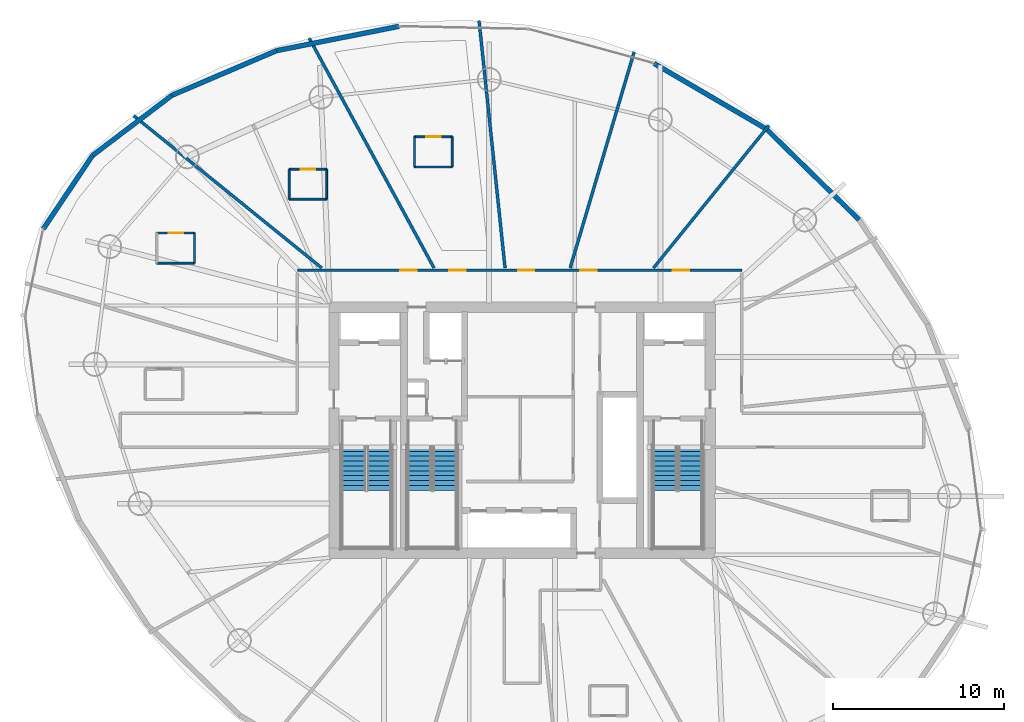
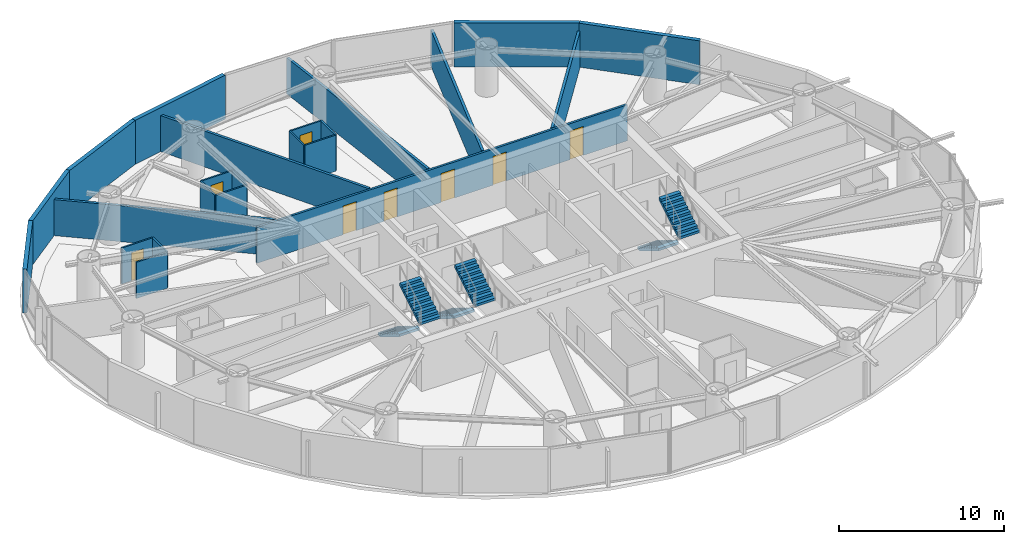
# One storey, part 22 of 26: 23 walls, 8 doors, 6 stair flights, 8 openings, 3 elements without a shape of their own.
"""IFC4 building model written with IfcOpenShell, lengths in metres."""

from ifc_helpers import new_model, si_unit, direction, frame, frame_2d, origin, place, context, subcontext, project, spatial, polyline, rectangle, outline, extrude, material, layer, layer_set, type_object, element, fill, aggregate, save


model = new_model("IFC4")

# Units and contexts
model_context = context("Model", 3, precision=1e-05, world=origin(), true_north=direction((0.0, 1.0)))
body_context = subcontext(model_context, "Body", "Model", "MODEL_VIEW")
ifc_project = project(units=[si_unit("LENGTHUNIT", "METRE"), si_unit("AREAUNIT", "SQUARE_METRE"), si_unit("VOLUMEUNIT", "CUBIC_METRE"), si_unit("PLANEANGLEUNIT", "RADIAN"), si_unit("MASSUNIT", "GRAM", prefix="KILO")], contexts=[model_context])

# Site, building, storey
site_placement = place(None, origin())
site = spatial("IfcSite", under=ifc_project, at=site_placement, CompositionType="ELEMENT")
building_placement = place(site_placement, origin())
building = spatial("IfcBuilding", under=site, at=building_placement, Name="Bramvorn Convention Spire", CompositionType="ELEMENT")
storey_placement = place(building_placement, frame((0.0, 0.0, 123.800048828125)))
storey = spatial("IfcBuildingStorey", under=building, at=storey_placement, Name="L30", CompositionType="ELEMENT", Elevation=123.800048828125)

# Walls
ifc_material_1 = material(Name="Precast Concrete C40/50 with Bronze Terracotta Rainscreen", Category="masonry")
ifc_layer_1 = layer(ifc_material_1, 0.300048828125)
ifc_layer_set_1 = layer_set([ifc_layer_1], Name="Precast Concrete C40/50 with Bronze Terracotta Rainscreen - WL-EXT-BRONZE-300")
wall_type_1 = type_object("IfcWallType", Name="WL-EXT-BRONZE-300", PredefinedType="SOLIDWALL", material=ifc_layer_set_1)
wall_1_placement = place(storey_placement, frame((52.293212890625, 43.609619140625, 0.0), z_axis=(0.0, 0.0, 1.0), x_axis=(0.714470451989, -0.699665615301, 0.0)))
element("IfcWall", 1, at=wall_1_placement, inside=storey, type_object=wall_type_1, Name="L30 expressed bronze Gothic lancet pier wall 05", PredefinedType="SOLIDWALL", context=body_context, shape_type="SweptSolid", body=[
    extrude(rectangle(XDim=7.569091796875, YDim=0.280029296875, at=frame_2d((3.78466796875, 0.0))), origin(), (0.0, 0.0, 1.0), 3.260009765625),
])
wall_2_placement = place(storey_placement, frame((45.716064453125, 47.452392578125, 0.0), z_axis=(0.0, 0.0, 1.0), x_axis=(0.863429962253, -0.50446873073, 0.0)))
element("IfcWall", 2, at=wall_2_placement, inside=storey, type_object=wall_type_1, Name="L30 expressed bronze Gothic lancet pier wall 06", PredefinedType="SOLIDWALL", context=body_context, shape_type="SweptSolid", body=[
    extrude(rectangle(XDim=7.617431640625, YDim=0.280029296875, at=frame_2d((3.80859375, 0.0))), origin(), (0.0, 0.0, 1.0), 3.260009765625),
])
wall_3_placement = place(storey_placement, frame((23.648681640625, 48.201904296875, 0.0), z_axis=(0.0, 0.0, 1.0), x_axis=(0.980871895122, 0.194654374108, 0.0)))
element("IfcWall", 3, at=wall_3_placement, inside=storey, type_object=wall_type_1, Name="L30 expressed bronze Gothic lancet pier wall 09", PredefinedType="SOLIDWALL", context=body_context, shape_type="SweptSolid", body=[
    extrude(rectangle(XDim=7.2919921875, YDim=0.280029296875, at=frame_2d((3.64599609375, 0.0))), origin(), (0.0, 0.0, 1.0), 3.260009765625),
])
wall_4_placement = place(storey_placement, frame((17.518798828125, 45.585693359375, 0.0), z_axis=(0.0, 0.0, 1.0), x_axis=(0.919735146148, 0.392539502395, 0.0)))
element("IfcWall", 4, at=wall_4_placement, inside=storey, type_object=wall_type_1, Name="L30 expressed bronze Gothic lancet pier wall 10", PredefinedType="SOLIDWALL", context=body_context, shape_type="SweptSolid", body=[
    extrude(rectangle(XDim=6.664794921875, YDim=0.280029296875, at=frame_2d((3.33251953125, 0.0))), origin(), (0.0, 0.0, 1.0), 3.260009765625),
])
wall_5_placement = place(storey_placement, frame((12.878173828125, 42.068603515625, 0.0), z_axis=(0.0, 0.0, 1.0), x_axis=(0.796971044297, 0.604017511792, 0.0)))
element("IfcWall", 5, at=wall_5_placement, inside=storey, type_object=wall_type_1, Name="L30 expressed bronze Gothic lancet pier wall 11", PredefinedType="SOLIDWALL", context=body_context, shape_type="SweptSolid", body=[
    extrude(rectangle(XDim=5.82275390625, YDim=0.280029296875, at=frame_2d((2.911376953125, 0.0))), origin(), (0.0, 0.0, 1.0), 3.260009765625),
])
wall_6_placement = place(storey_placement, frame((9.993896484375, 37.772705078125, 0.0), z_axis=(0.0, 0.0, 1.0), x_axis=(0.557419320753, 0.830231112914, 0.0)))
element("IfcWall", 6, at=wall_6_placement, inside=storey, type_object=wall_type_1, Name="L30 expressed bronze Gothic lancet pier wall 12", PredefinedType="SOLIDWALL", context=body_context, shape_type="SweptSolid", body=[
    extrude(rectangle(XDim=5.17431640625, YDim=0.280029296875, at=frame_2d((2.587158203125, 0.0))), origin(), (0.0, 0.0, 1.0), 3.260009765625),
])
ifc_material_2 = material(Name="Lightweight En-Suite & Wet-Wall Partition", Category="gypsum")
ifc_layer_2 = layer(ifc_material_2, 0.110107421875)
ifc_layer_set_2 = layer_set([ifc_layer_2], Name="Lightweight En-Suite & Wet-Wall Partition - WL-PART-110")
wall_type_2 = type_object("IfcWallType", Name="WL-PART-110", PredefinedType="PARTITIONING", material=ifc_layer_set_2)
wall_7_placement = place(storey_placement, frame((31.705322265625, 41.396484375, 0.0), z_axis=(0.0, 0.0, 1.0), x_axis=(1.0, 0.0, 0.0)))
element("IfcWall", 7, at=wall_7_placement, inside=storey, type_object=wall_type_2, Name="Hotel Suite 3005 en-suite south wall", PredefinedType="PARTITIONING", context=body_context, shape_type="SweptSolid", body=[
    extrude(rectangle(XDim=2.2001953125, YDim=0.110107421875, at=frame_2d((1.10009765625, 0.0))), origin(), (0.0, 0.0, 1.0), 2.675048828125),
])

# Wall, opening, door
wall_8_placement = place(storey_placement, frame((31.705322265625, 43.156494140625, 0.0), z_axis=(0.0, 0.0, 1.0), x_axis=(1.0, 0.0, 0.0)))
wall_8 = element("IfcWall", 8, at=wall_8_placement, inside=storey, type_object=wall_type_2, Name="Hotel Suite 3005 en-suite north wall", PredefinedType="PARTITIONING", context=body_context, shape_type="SweptSolid", body=[
    extrude(rectangle(XDim=2.2001953125, YDim=0.110107421875, at=frame_2d((1.10009765625, 0.0))), origin(), (0.0, 0.0, 1.0), 2.675048828125),
])
opening_1_placement = place(wall_8_placement, frame((0.679931640625, 0.0, 0.0)))
opening_1 = element("IfcOpeningElement", 9, at=opening_1_placement, cuts=wall_8, Name="Opening DI-085", PredefinedType="OPENING", context=body_context, shape_type="SweptSolid", body=[
    extrude(rectangle(XDim=0.85009765625, YDim=2.10009765625, at=frame_2d((0.425048828125, 1.050048828125))), frame((0.0, 0.06494140625, 0.0), z_axis=(0.0, -1.0, 0.0), x_axis=(1.0, 0.0, 0.0)), (0.0, 0.0, 1.0), 0.130126953125),
])
ifc_material_3 = material(Name="En-Suite & Restroom Privacy Door", Category="wood")
door_type_1 = type_object("IfcDoorType", Name="DR-INT-850", OperationType="NOTDEFINED", PredefinedType="DOOR", material=ifc_material_3)
door_1_placement = place(opening_1_placement, origin())
door_1 = element("IfcDoor", 10, at=door_1_placement, inside=storey, type_object=door_type_1, Name="Hotel Suite 3005 En-Suite Bathroom door", OperationType="SINGLE_SWING_LEFT", OverallHeight=2.10009765625, OverallWidth=0.85009765625, PredefinedType="DOOR", context=body_context, shape_type="SweptSolid", body=[
    extrude(rectangle(XDim=0.85009765625, YDim=2.10009765625, at=frame_2d((0.425048828125, 1.050048828125))), frame((0.0, 0.02490234375, 0.0), z_axis=(0.0, -1.0, 0.0), x_axis=(1.0, 0.0, 0.0)), (0.0, 0.0, 1.0), 0.050048828125),
])
fill(opening_1, door_1)

# Walls
for number, where, z_axis, x_axis, name in (
    (11, (31.705322265625, 41.396484375, 0.0), (0.0, 0.0, 1.0), (0.0, 1.0, 0.0), "Hotel Suite 3005 en-suite west wall"),
    (12, (33.905517578125, 41.396484375, 0.0), (0.0, 0.0, 1.0), (0.0, 1.0, 0.0), "Hotel Suite 3005 en-suite east wall"),
):
    element("IfcWall", number, at=place(storey_placement, frame(where, z_axis=z_axis, x_axis=x_axis)), inside=storey, type_object=wall_type_2, Name=name, PredefinedType="PARTITIONING", context=body_context, shape_type="SweptSolid", body=[
        extrude(rectangle(XDim=1.760009765625, YDim=0.110107421875, at=frame_2d((0.8798828125, 0.0))), origin(), (0.0, 0.0, 1.0), 2.675048828125),
    ])
wall_9_placement = place(storey_placement, frame((24.376708984375, 39.5126953125, 0.0), z_axis=(0.0, 0.0, 1.0), x_axis=(1.0, 0.0, 0.0)))
element("IfcWall", 13, at=wall_9_placement, inside=storey, type_object=wall_type_2, Name="Hotel Suite 3006 en-suite south wall", PredefinedType="PARTITIONING", context=body_context, shape_type="SweptSolid", body=[
    extrude(rectangle(XDim=2.199951171875, YDim=0.110107421875, at=frame_2d((1.10009765625, 0.0))), origin(), (0.0, 0.0, 1.0), 2.675048828125),
])

# Wall, opening, door
wall_10_placement = place(storey_placement, frame((24.376708984375, 41.272705078125, 0.0), z_axis=(0.0, 0.0, 1.0), x_axis=(1.0, 0.0, 0.0)))
wall_10 = element("IfcWall", 14, at=wall_10_placement, inside=storey, type_object=wall_type_2, Name="Hotel Suite 3006 en-suite north wall", PredefinedType="PARTITIONING", context=body_context, shape_type="SweptSolid", body=[
    extrude(rectangle(XDim=2.199951171875, YDim=0.110107421875, at=frame_2d((1.10009765625, 0.0))), origin(), (0.0, 0.0, 1.0), 2.675048828125),
])
opening_2_placement = place(wall_10_placement, frame((0.679931640625, 0.0, 0.0)))
opening_2 = element("IfcOpeningElement", 15, at=opening_2_placement, cuts=wall_10, Name="Opening DI-085", PredefinedType="OPENING", context=body_context, shape_type="SweptSolid", body=[
    extrude(rectangle(XDim=0.85009765625, YDim=2.10009765625, at=frame_2d((0.425048828125, 1.050048828125))), frame((0.0, 0.06494140625, 0.0), z_axis=(0.0, -1.0, 0.0), x_axis=(1.0, 0.0, 0.0)), (0.0, 0.0, 1.0), 0.130126953125),
])
door_2_placement = place(opening_2_placement, origin())
door_2 = element("IfcDoor", 16, at=door_2_placement, inside=storey, type_object=door_type_1, Name="Hotel Suite 3006 En-Suite Bathroom door", OperationType="SINGLE_SWING_LEFT", OverallHeight=2.10009765625, OverallWidth=0.85009765625, PredefinedType="DOOR", context=body_context, shape_type="SweptSolid", body=[
    extrude(rectangle(XDim=0.85009765625, YDim=2.10009765625, at=frame_2d((0.425048828125, 1.050048828125))), frame((0.0, 0.02490234375, 0.0), z_axis=(0.0, -1.0, 0.0), x_axis=(1.0, 0.0, 0.0)), (0.0, 0.0, 1.0), 0.050048828125),
])
fill(opening_2, door_2)

# Walls
for number, where, z_axis, x_axis, name in (
    (17, (24.376708984375, 39.5126953125, 0.0), (0.0, 0.0, 1.0), (0.0, 1.0, 0.0), "Hotel Suite 3006 en-suite west wall"),
    (18, (26.57666015625, 39.5126953125, 0.0), (0.0, 0.0, 1.0), (0.0, 1.0, 0.0), "Hotel Suite 3006 en-suite east wall"),
):
    element("IfcWall", number, at=place(storey_placement, frame(where, z_axis=z_axis, x_axis=x_axis)), inside=storey, type_object=wall_type_2, Name=name, PredefinedType="PARTITIONING", context=body_context, shape_type="SweptSolid", body=[
        extrude(rectangle(XDim=1.760009765625, YDim=0.110107421875, at=frame_2d((0.8798828125, 0.0))), origin(), (0.0, 0.0, 1.0), 2.675048828125),
    ])
wall_11_placement = place(storey_placement, frame((16.639892578125, 35.77685546875, 0.0), z_axis=(0.0, 0.0, 1.0), x_axis=(1.0, 0.0, 0.0)))
element("IfcWall", 19, at=wall_11_placement, inside=storey, type_object=wall_type_2, Name="Hotel Suite 3007 en-suite south wall", PredefinedType="PARTITIONING", context=body_context, shape_type="SweptSolid", body=[
    extrude(rectangle(XDim=2.199951171875, YDim=0.110107421875, at=frame_2d((1.10009765625, 0.0))), origin(), (0.0, 0.0, 1.0), 2.675048828125),
])

# Wall, opening, door
wall_12_placement = place(storey_placement, frame((16.639892578125, 37.536865234375, 0.0), z_axis=(0.0, 0.0, 1.0), x_axis=(1.0, 0.0, 0.0)))
wall_12 = element("IfcWall", 20, at=wall_12_placement, inside=storey, type_object=wall_type_2, Name="Hotel Suite 3007 en-suite north wall", PredefinedType="PARTITIONING", context=body_context, shape_type="SweptSolid", body=[
    extrude(rectangle(XDim=2.199951171875, YDim=0.110107421875, at=frame_2d((1.10009765625, 0.0))), origin(), (0.0, 0.0, 1.0), 2.675048828125),
])
opening_3_placement = place(wall_12_placement, frame((0.679931640625, 0.0, 0.0)))
opening_3 = element("IfcOpeningElement", 21, at=opening_3_placement, cuts=wall_12, Name="Opening DI-085", PredefinedType="OPENING", context=body_context, shape_type="SweptSolid", body=[
    extrude(rectangle(XDim=0.85009765625, YDim=2.10009765625, at=frame_2d((0.425048828125, 1.050048828125))), frame((0.0, 0.06494140625, 0.0), z_axis=(0.0, -1.0, 0.0), x_axis=(1.0, 0.0, 0.0)), (0.0, 0.0, 1.0), 0.130126953125),
])
door_3_placement = place(opening_3_placement, origin())
door_3 = element("IfcDoor", 22, at=door_3_placement, inside=storey, type_object=door_type_1, Name="Hotel Suite 3007 En-Suite Bathroom door", OperationType="SINGLE_SWING_LEFT", OverallHeight=2.10009765625, OverallWidth=0.85009765625, PredefinedType="DOOR", context=body_context, shape_type="SweptSolid", body=[
    extrude(rectangle(XDim=0.85009765625, YDim=2.10009765625, at=frame_2d((0.425048828125, 1.050048828125))), frame((0.0, 0.02490234375, 0.0), z_axis=(0.0, -1.0, 0.0), x_axis=(1.0, 0.0, 0.0)), (0.0, 0.0, 1.0), 0.050048828125),
])
fill(opening_3, door_3)

# Wall
wall_13_placement = place(storey_placement, frame((18.83984375, 35.77685546875, 0.0), z_axis=(0.0, 0.0, 1.0), x_axis=(0.0, 1.0, 0.0)))
element("IfcWall", 23, at=wall_13_placement, inside=storey, type_object=wall_type_2, Name="Hotel Suite 3007 en-suite east wall", PredefinedType="PARTITIONING", context=body_context, shape_type="SweptSolid", body=[
    extrude(rectangle(XDim=1.760009765625, YDim=0.110107421875, at=frame_2d((0.8798828125, 0.0))), origin(), (0.0, 0.0, 1.0), 2.675048828125),
])

# Wall, openings, doors
ifc_material_4 = material(Name="Acoustic Metal-Stud Tenant/Corridor Partition", Category="gypsum")
ifc_layer_3 = layer(ifc_material_4, 0.14990234375)
ifc_layer_set_3 = layer_set([ifc_layer_3], Name="Acoustic Metal-Stud Tenant/Corridor Partition - WL-PART-150")
wall_type_3 = type_object("IfcWallType", Name="WL-PART-150", PredefinedType="PARTITIONING", material=ifc_layer_set_3)
wall_14_placement = place(storey_placement, frame((24.85009765625, 35.35009765625, 0.0), z_axis=(0.0, 0.0, 1.0), x_axis=(1.0, 0.0, 0.0)))
wall_14 = element("IfcWall", 24, at=wall_14_placement, inside=storey, type_object=wall_type_3, Name="L30 North gallery wall", PredefinedType="PARTITIONING", context=body_context, shape_type="SweptSolid", body=[
    extrude(rectangle(XDim=26.0, YDim=0.14990234375, at=frame_2d((13.0, 0.0))), origin(), (0.0, 0.0, 1.0), 2.675048828125),
])
opening_4_placement = place(wall_14_placement, frame((21.96435546875, 0.0, 0.0)))
opening_4 = element("IfcOpeningElement", 25, at=opening_4_placement, cuts=wall_14, Name="Opening DH-095", PredefinedType="OPENING", context=body_context, shape_type="SweptSolid", body=[
    extrude(rectangle(XDim=0.949951171875, YDim=2.14990234375, at=frame_2d((0.47509765625, 1.074951171875))), frame((0.0, 0.0849609375, 0.0), z_axis=(0.0, -1.0, 0.0), x_axis=(1.0, 0.0, 0.0)), (0.0, 0.0, 1.0), 0.169921875),
])
opening_5_placement = place(wall_14_placement, frame((16.55224609375, 0.0, 0.0)))
opening_5 = element("IfcOpeningElement", 26, at=opening_5_placement, cuts=wall_14, Name="Opening DH-095", PredefinedType="OPENING", context=body_context, shape_type="SweptSolid", body=[
    extrude(rectangle(XDim=0.949951171875, YDim=2.14990234375, at=frame_2d((0.47509765625, 1.074951171875))), frame((0.0, 0.0849609375, 0.0), z_axis=(0.0, -1.0, 0.0), x_axis=(1.0, 0.0, 0.0)), (0.0, 0.0, 1.0), 0.169921875),
])
opening_6_placement = place(wall_14_placement, frame((12.9208984375, 0.0, 0.0)))
opening_6 = element("IfcOpeningElement", 27, at=opening_6_placement, cuts=wall_14, Name="Opening DH-095", PredefinedType="OPENING", context=body_context, shape_type="SweptSolid", body=[
    extrude(rectangle(XDim=0.949951171875, YDim=2.14990234375, at=frame_2d((0.47509765625, 1.074951171875))), frame((0.0, 0.0849609375, 0.0), z_axis=(0.0, -1.0, 0.0), x_axis=(1.0, 0.0, 0.0)), (0.0, 0.0, 1.0), 0.169921875),
])
opening_7_placement = place(wall_14_placement, frame((8.893798828125, 0.0, 0.0)))
opening_7 = element("IfcOpeningElement", 28, at=opening_7_placement, cuts=wall_14, Name="Opening DH-095", PredefinedType="OPENING", context=body_context, shape_type="SweptSolid", body=[
    extrude(rectangle(XDim=0.949951171875, YDim=2.14990234375, at=frame_2d((0.47509765625, 1.074951171875))), frame((0.0, 0.0849609375, 0.0), z_axis=(0.0, -1.0, 0.0), x_axis=(1.0, 0.0, 0.0)), (0.0, 0.0, 1.0), 0.169921875),
])
opening_8_placement = place(wall_14_placement, frame((6.02734375, 0.0, 0.0)))
opening_8 = element("IfcOpeningElement", 29, at=opening_8_placement, cuts=wall_14, Name="Opening DH-095", PredefinedType="OPENING", context=body_context, shape_type="SweptSolid", body=[
    extrude(rectangle(XDim=0.949951171875, YDim=2.14990234375, at=frame_2d((0.47509765625, 1.074951171875))), frame((0.0, 0.0849609375, 0.0), z_axis=(0.0, -1.0, 0.0), x_axis=(1.0, 0.0, 0.0)), (0.0, 0.0, 1.0), 0.169921875),
])
ifc_material_5 = material(Name="Solid-Core Acoustic Guestroom Entry Door", Category="wood")
door_type_2 = type_object("IfcDoorType", Name="DR-HOTEL-950", OperationType="NOTDEFINED", PredefinedType="DOOR", material=ifc_material_5)
door_4_placement = place(opening_4_placement, origin())
door_4 = element("IfcDoor", 30, at=door_4_placement, inside=storey, type_object=door_type_2, Name="L30 Hospitality Lounge 2 door", OperationType="SINGLE_SWING_RIGHT", OverallHeight=2.14990234375, OverallWidth=0.949951171875, PredefinedType="DOOR", context=body_context, shape_type="SweptSolid", body=[
    extrude(rectangle(XDim=0.949951171875, YDim=2.14990234375, at=frame_2d((0.47509765625, 1.074951171875))), frame((0.0, 0.02490234375, 0.0), z_axis=(0.0, -1.0, 0.0), x_axis=(1.0, 0.0, 0.0)), (0.0, 0.0, 1.0), 0.050048828125),
])
fill(opening_4, door_4)
door_5_placement = place(opening_5_placement, origin())
door_5 = element("IfcDoor", 31, at=door_5_placement, inside=storey, type_object=door_type_2, Name="L30 Hospitality Lounge 3 door", OperationType="SINGLE_SWING_RIGHT", OverallHeight=2.14990234375, OverallWidth=0.949951171875, PredefinedType="DOOR", context=body_context, shape_type="SweptSolid", body=[
    extrude(rectangle(XDim=0.949951171875, YDim=2.14990234375, at=frame_2d((0.47509765625, 1.074951171875))), frame((0.0, 0.02490234375, 0.0), z_axis=(0.0, -1.0, 0.0), x_axis=(1.0, 0.0, 0.0)), (0.0, 0.0, 1.0), 0.050048828125),
])
fill(opening_5, door_5)
door_6_placement = place(opening_6_placement, origin())
door_6 = element("IfcDoor", 32, at=door_6_placement, inside=storey, type_object=door_type_2, Name="L30 Hospitality Lounge 4 door", OperationType="SINGLE_SWING_RIGHT", OverallHeight=2.14990234375, OverallWidth=0.949951171875, PredefinedType="DOOR", context=body_context, shape_type="SweptSolid", body=[
    extrude(rectangle(XDim=0.949951171875, YDim=2.14990234375, at=frame_2d((0.47509765625, 1.074951171875))), frame((0.0, 0.02490234375, 0.0), z_axis=(0.0, -1.0, 0.0), x_axis=(1.0, 0.0, 0.0)), (0.0, 0.0, 1.0), 0.050048828125),
])
fill(opening_6, door_6)
door_7_placement = place(opening_7_placement, origin())
door_7 = element("IfcDoor", 33, at=door_7_placement, inside=storey, type_object=door_type_2, Name="Hotel Suite 3005 entry door", OperationType="SINGLE_SWING_LEFT", OverallHeight=2.14990234375, OverallWidth=0.949951171875, PredefinedType="DOOR", context=body_context, shape_type="SweptSolid", body=[
    extrude(rectangle(XDim=0.949951171875, YDim=2.14990234375, at=frame_2d((0.47509765625, 1.074951171875))), frame((0.0, 0.02490234375, 0.0), z_axis=(0.0, -1.0, 0.0), x_axis=(1.0, 0.0, 0.0)), (0.0, 0.0, 1.0), 0.050048828125),
])
fill(opening_7, door_7)
door_8_placement = place(opening_8_placement, origin())
door_8 = element("IfcDoor", 34, at=door_8_placement, inside=storey, type_object=door_type_2, Name="Hotel Suite 3006 entry door", OperationType="SINGLE_SWING_LEFT", OverallHeight=2.14990234375, OverallWidth=0.949951171875, PredefinedType="DOOR", context=body_context, shape_type="SweptSolid", body=[
    extrude(rectangle(XDim=0.949951171875, YDim=2.14990234375, at=frame_2d((0.47509765625, 1.074951171875))), frame((0.0, 0.02490234375, 0.0), z_axis=(0.0, -1.0, 0.0), x_axis=(1.0, 0.0, 0.0)), (0.0, 0.0, 1.0), 0.050048828125),
])
fill(opening_8, door_8)

# Walls
ifc_material_6 = material(Name="Double-Stud Acoustic Hotel/Suite Partition", Category="gypsum")
ifc_layer_4 = layer(ifc_material_6, 0.175048828125)
ifc_layer_set_4 = layer_set([ifc_layer_4], Name="Double-Stud Acoustic Hotel/Suite Partition - WL-PART-175")
wall_type_4 = type_object("IfcWallType", Name="WL-PART-175", PredefinedType="PARTITIONING", material=ifc_layer_set_4)
wall_15_placement = place(storey_placement, frame((45.684814453125, 35.489990234375, 0.0), z_axis=(0.0, 0.0, 1.0), x_axis=(0.629333011915, 0.777135741112, 0.0)))
element("IfcWall", 35, at=wall_15_placement, inside=storey, type_object=wall_type_4, Name="L30 Guestroom demising wall 3", PredefinedType="PARTITIONING", context=body_context, shape_type="SweptSolid", body=[
    extrude(rectangle(XDim=10.7333984375, YDim=0.175048828125, at=frame_2d((5.36669921875, 0.0))), origin(), (0.0, 0.0, 1.0), 2.675048828125),
])
wall_16_placement = place(storey_placement, frame((40.81103515625, 35.489990234375, 0.0), z_axis=(0.0, 0.0, 1.0), x_axis=(0.284012702831, 0.958820517423, 0.0)))
element("IfcWall", 36, at=wall_16_placement, inside=storey, type_object=wall_type_4, Name="L30 Guestroom demising wall 4", PredefinedType="PARTITIONING", context=body_context, shape_type="SweptSolid", body=[
    extrude(rectangle(XDim=13.18994140625, YDim=0.175048828125, at=frame_2d((6.594970703125, 0.0))), origin(), (0.0, 0.0, 1.0), 2.675048828125),
])
wall_17_placement = place(storey_placement, frame((37.002685546875, 35.489990234375, 0.0), z_axis=(0.0, 0.0, 1.0), x_axis=(-0.10453360694, 0.994521354733, 0.0)))
element("IfcWall", 37, at=wall_17_placement, inside=storey, type_object=wall_type_4, Name="L30 Guestroom demising wall 5", PredefinedType="PARTITIONING", context=body_context, shape_type="SweptSolid", body=[
    extrude(rectangle(XDim=14.543212890625, YDim=0.175048828125, at=frame_2d((7.271484375, 0.0))), origin(), (0.0, 0.0, 1.0), 2.675048828125),
])
wall_18_placement = place(storey_placement, frame((32.847412109375, 35.489990234375, 0.0), z_axis=(0.0, 0.0, 1.0), x_axis=(-0.477169302066, 0.878811388846, 0.0)))
element("IfcWall", 38, at=wall_18_placement, inside=storey, type_object=wall_type_4, Name="L30 Guestroom demising wall 6", PredefinedType="PARTITIONING", context=body_context, shape_type="SweptSolid", body=[
    extrude(rectangle(XDim=15.305908203125, YDim=0.175048828125, at=frame_2d((7.65283203125, 0.0))), origin(), (0.0, 0.0, 1.0), 2.675048828125),
])
wall_19_placement = place(storey_placement, frame((26.28076171875, 35.489990234375, 0.0), z_axis=(0.0, 0.0, 1.0), x_axis=(-0.777136881542, 0.629331603646, 0.0)))
element("IfcWall", 39, at=wall_19_placement, inside=storey, type_object=wall_type_4, Name="L30 Guestroom demising wall 7", PredefinedType="PARTITIONING", context=body_context, shape_type="SweptSolid", body=[
    extrude(rectangle(XDim=14.1640625, YDim=0.175048828125, at=frame_2d((7.08203125, 0.0))), origin(), (0.0, 0.0, 1.0), 2.675048828125),
])

# Stair, stair flights
ifc_material_7 = material(Name="Concrete C40/50 Precast Stair", Category="concrete")
stair_type = type_object("IfcStairType", Name="ST-TOWER-1550", PredefinedType="HALF_TURN_STAIR", material=ifc_material_7)
stair_1_placement = place(storey_placement, origin())
stair_1 = element("IfcStair", 40, at=stair_1_placement, inside=storey, type_object=stair_type, Name="L30 Protected Exit Stair ST1", PredefinedType="HALF_TURN_STAIR")
ifc_material_8 = material(Name="Concrete C40/50 Precast Stair Flight", Category="concrete")
stair_flight_type = type_object("IfcStairFlightType", Name="STF-TOWER-1550", PredefinedType="STRAIGHT", material=ifc_material_8)
stair_flight_1_placement = place(storey_placement, frame((28.155029296875, 25.050048828125, 0.0), z_axis=(0.0, 0.0, 1.0), x_axis=(0.0, -1.0, 0.0)))
stair_flight_1 = element("IfcStairFlight", 41, at=stair_flight_1_placement, type_object=stair_flight_type, Name="ST1 flight 1", NumberOfRisers=10, NumberOfTreads=9, PredefinedType="STRAIGHT", RiserHeight=0.175, TreadLength=0.285, context=body_context, shape_type="SweptSolid", body=[
    extrude(outline(polyline([(0.0, 0.0), (0.0, 0.175048828125), (0.284912109375, 0.175048828125), (0.284912109375, 0.35009765625), (0.570068359375, 0.35009765625), (0.570068359375, 0.52490234375), (0.85498046875, 0.52490234375), (0.85498046875, 0.699951171875), (1.139892578125, 0.699951171875), (1.139892578125, 0.875), (1.425048828125, 0.875), (1.425048828125, 1.050048828125), (1.7099609375, 1.050048828125), (1.7099609375, 1.22509765625), (1.9951171875, 1.22509765625), (1.9951171875, 1.39990234375), (2.280029296875, 1.39990234375), (2.280029296875, 1.574951171875), (2.56494140625, 1.574951171875), (2.56494140625, 1.75), (2.56494140625, 1.399169921875), (0.286376953125, 0.0), (0.0, 0.0)])), frame((0.0, 0.705078125, 0.0), z_axis=(0.0, -1.0, 0.0), x_axis=(1.0, 0.0, 0.0)), (0.0, 0.0, 1.0), 1.409912109375),
])
stair_flight_2_placement = place(storey_placement, frame((29.64501953125, 22.485107421875, 1.75), z_axis=(0.0, 0.0, 1.0), x_axis=(0.0, 1.0, 0.0)))
stair_flight_2 = element("IfcStairFlight", 42, at=stair_flight_2_placement, type_object=stair_flight_type, Name="ST1 flight 2", NumberOfRisers=10, NumberOfTreads=9, PredefinedType="STRAIGHT", RiserHeight=0.175, TreadLength=0.285, context=body_context, shape_type="SweptSolid", body=[
    extrude(outline(polyline([(0.0, 0.0), (0.0, 0.175048828125), (0.284912109375, 0.175048828125), (0.284912109375, 0.35009765625), (0.570068359375, 0.35009765625), (0.570068359375, 0.52490234375), (0.85498046875, 0.52490234375), (0.85498046875, 0.699951171875), (1.139892578125, 0.699951171875), (1.139892578125, 0.875), (1.425048828125, 0.875), (1.425048828125, 1.050048828125), (1.7099609375, 1.050048828125), (1.7099609375, 1.22509765625), (1.9951171875, 1.22509765625), (1.9951171875, 1.39990234375), (2.280029296875, 1.39990234375), (2.280029296875, 1.574951171875), (2.56494140625, 1.574951171875), (2.56494140625, 1.75), (2.56494140625, 1.399169921875), (0.286376953125, 0.0), (0.0, 0.0)])), frame((0.0, 0.705078125, 0.0), z_axis=(0.0, -1.0, 0.0), x_axis=(1.0, 0.0, 0.0)), (0.0, 0.0, 1.0), 1.409912109375),
])
aggregate(stair_1, [stair_flight_1, stair_flight_2])

stair_2_placement = place(storey_placement, origin())
stair_2 = element("IfcStair", 43, at=stair_2_placement, inside=storey, type_object=stair_type, Name="L30 Protected Exit Stair ST2", PredefinedType="HALF_TURN_STAIR")
stair_flight_3_placement = place(storey_placement, frame((46.35498046875, 25.050048828125, 0.0), z_axis=(0.0, 0.0, 1.0), x_axis=(0.0, -1.0, 0.0)))
stair_flight_3 = element("IfcStairFlight", 44, at=stair_flight_3_placement, type_object=stair_flight_type, Name="ST2 flight 1", NumberOfRisers=10, NumberOfTreads=9, PredefinedType="STRAIGHT", RiserHeight=0.175, TreadLength=0.285, context=body_context, shape_type="SweptSolid", body=[
    extrude(outline(polyline([(0.0, 0.0), (0.0, 0.175048828125), (0.284912109375, 0.175048828125), (0.284912109375, 0.35009765625), (0.570068359375, 0.35009765625), (0.570068359375, 0.52490234375), (0.85498046875, 0.52490234375), (0.85498046875, 0.699951171875), (1.139892578125, 0.699951171875), (1.139892578125, 0.875), (1.425048828125, 0.875), (1.425048828125, 1.050048828125), (1.7099609375, 1.050048828125), (1.7099609375, 1.22509765625), (1.9951171875, 1.22509765625), (1.9951171875, 1.39990234375), (2.280029296875, 1.39990234375), (2.280029296875, 1.574951171875), (2.56494140625, 1.574951171875), (2.56494140625, 1.75), (2.56494140625, 1.399169921875), (0.286376953125, 0.0), (0.0, 0.0)])), frame((0.0, 0.705078125, 0.0), z_axis=(0.0, -1.0, 0.0), x_axis=(1.0, 0.0, 0.0)), (0.0, 0.0, 1.0), 1.409912109375),
])
stair_flight_4_placement = place(storey_placement, frame((47.844970703125, 22.485107421875, 1.75), z_axis=(0.0, 0.0, 1.0), x_axis=(0.0, 1.0, 0.0)))
stair_flight_4 = element("IfcStairFlight", 45, at=stair_flight_4_placement, type_object=stair_flight_type, Name="ST2 flight 2", NumberOfRisers=10, NumberOfTreads=9, PredefinedType="STRAIGHT", RiserHeight=0.175, TreadLength=0.285, context=body_context, shape_type="SweptSolid", body=[
    extrude(outline(polyline([(0.0, 0.0), (0.0, 0.175048828125), (0.284912109375, 0.175048828125), (0.284912109375, 0.35009765625), (0.570068359375, 0.35009765625), (0.570068359375, 0.52490234375), (0.85498046875, 0.52490234375), (0.85498046875, 0.699951171875), (1.139892578125, 0.699951171875), (1.139892578125, 0.875), (1.425048828125, 0.875), (1.425048828125, 1.050048828125), (1.7099609375, 1.050048828125), (1.7099609375, 1.22509765625), (1.9951171875, 1.22509765625), (1.9951171875, 1.39990234375), (2.280029296875, 1.39990234375), (2.280029296875, 1.574951171875), (2.56494140625, 1.574951171875), (2.56494140625, 1.75), (2.56494140625, 1.399169921875), (0.286376953125, 0.0), (0.0, 0.0)])), frame((0.0, 0.705078125, 0.0), z_axis=(0.0, -1.0, 0.0), x_axis=(1.0, 0.0, 0.0)), (0.0, 0.0, 1.0), 1.409912109375),
])
aggregate(stair_2, [stair_flight_3, stair_flight_4])

stair_3_placement = place(storey_placement, origin())
stair_3 = element("IfcStair", 46, at=stair_3_placement, inside=storey, type_object=stair_type, Name="L30 Protected Exit Stair ST3", PredefinedType="HALF_TURN_STAIR")
stair_flight_5_placement = place(storey_placement, frame((32.0048828125, 25.050048828125, 0.0), z_axis=(0.0, 0.0, 1.0), x_axis=(0.0, -1.0, 0.0)))
stair_flight_5 = element("IfcStairFlight", 47, at=stair_flight_5_placement, type_object=stair_flight_type, Name="ST3 flight 1", NumberOfRisers=10, NumberOfTreads=9, PredefinedType="STRAIGHT", RiserHeight=0.175, TreadLength=0.285, context=body_context, shape_type="SweptSolid", body=[
    extrude(outline(polyline([(0.0, 0.0), (0.0, 0.175048828125), (0.284912109375, 0.175048828125), (0.284912109375, 0.35009765625), (0.570068359375, 0.35009765625), (0.570068359375, 0.52490234375), (0.85498046875, 0.52490234375), (0.85498046875, 0.699951171875), (1.139892578125, 0.699951171875), (1.139892578125, 0.875), (1.425048828125, 0.875), (1.425048828125, 1.050048828125), (1.7099609375, 1.050048828125), (1.7099609375, 1.22509765625), (1.9951171875, 1.22509765625), (1.9951171875, 1.39990234375), (2.280029296875, 1.39990234375), (2.280029296875, 1.574951171875), (2.56494140625, 1.574951171875), (2.56494140625, 1.75), (2.56494140625, 1.399169921875), (0.286376953125, 0.0), (0.0, 0.0)])), frame((0.0, 0.705078125, 0.0), z_axis=(0.0, -1.0, 0.0), x_axis=(1.0, 0.0, 0.0)), (0.0, 0.0, 1.0), 1.409912109375),
])
stair_flight_6_placement = place(storey_placement, frame((33.4951171875, 22.485107421875, 1.75), z_axis=(0.0, 0.0, 1.0), x_axis=(0.0, 1.0, 0.0)))
stair_flight_6 = element("IfcStairFlight", 48, at=stair_flight_6_placement, type_object=stair_flight_type, Name="ST3 flight 2", NumberOfRisers=10, NumberOfTreads=9, PredefinedType="STRAIGHT", RiserHeight=0.175, TreadLength=0.285, context=body_context, shape_type="SweptSolid", body=[
    extrude(outline(polyline([(0.0, 0.0), (0.0, 0.175048828125), (0.284912109375, 0.175048828125), (0.284912109375, 0.35009765625), (0.570068359375, 0.35009765625), (0.570068359375, 0.52490234375), (0.85498046875, 0.52490234375), (0.85498046875, 0.699951171875), (1.139892578125, 0.699951171875), (1.139892578125, 0.875), (1.425048828125, 0.875), (1.425048828125, 1.050048828125), (1.7099609375, 1.050048828125), (1.7099609375, 1.22509765625), (1.9951171875, 1.22509765625), (1.9951171875, 1.39990234375), (2.280029296875, 1.39990234375), (2.280029296875, 1.574951171875), (2.56494140625, 1.574951171875), (2.56494140625, 1.75), (2.56494140625, 1.399169921875), (0.286376953125, 0.0), (0.0, 0.0)])), frame((0.0, 0.705078125, 0.0), z_axis=(0.0, -1.0, 0.0), x_axis=(1.0, 0.0, 0.0)), (0.0, 0.0, 1.0), 1.409912109375),
])
aggregate(stair_3, [stair_flight_5, stair_flight_6])

save(model, "model.ifc")
